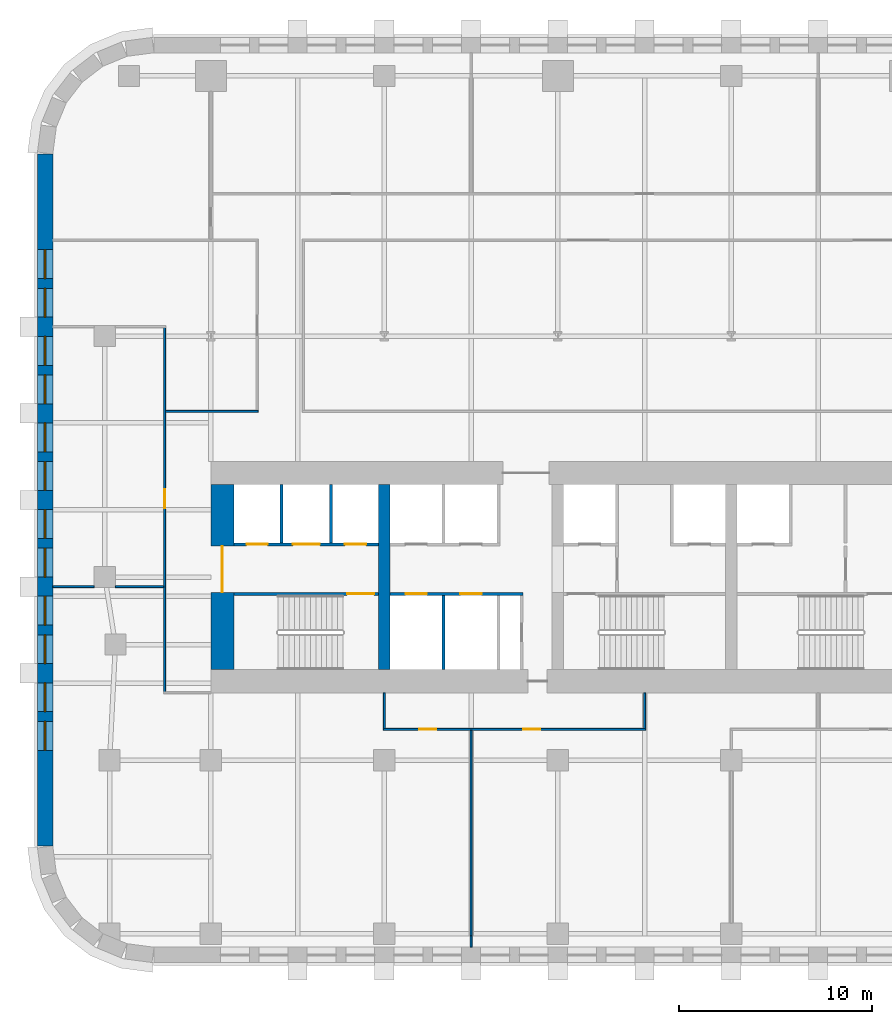
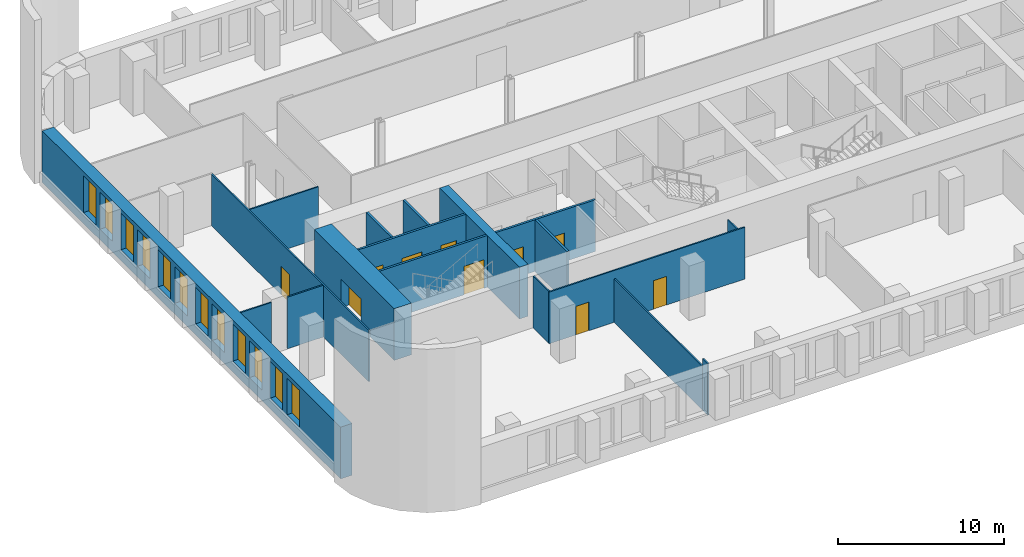
# One storey, part 3 of 12: 18 walls, 12 windows, 10 doors, 22 openings.
"""IFC4 building model written with IfcOpenShell, lengths in metres."""

import ifcopenshell
import ifcopenshell.guid

model = None  # the IFC model being written
_history = None  # IfcOwnerHistory: only IFC2X3 demands one
_inside = {}  # id of a spatial element -> (the spatial element, [elements in it])
_under = {}  # id of a project, library or spatial element -> (it, [spatial elements below it])
_declared = {}  # id of a project -> (the project, [libraries it declares])
_typed = {}  # id of a type object -> (the type object, [elements of that type])
_made_of = {}  # id of a material, layer set ... -> (it, [elements and type objects made of it])


def new_model(schema):
    """Start an empty IFC model of exactly this schema.

    Asked for "IFC4X3", IfcOpenShell would pick the latest addendum, in which some entities
    have other attributes; the version numbers below select the first issue.
    IFC2X3 requires an IfcOwnerHistory on every rooted entity: one is made here for all.
    """
    global model, _history
    if schema == "IFC4X3":
        model = ifcopenshell.file(schema_version=(4, 3, 0, 0))
    else:
        model = ifcopenshell.file(schema=schema)
    _inside.clear()
    _under.clear()
    _declared.clear()
    _typed.clear()
    _made_of.clear()
    _history = None
    if model.schema == "IFC2X3":
        org = make("IfcOrganization", Name="unknown")
        user = make(
            "IfcPersonAndOrganization",
            ThePerson=make("IfcPerson", FamilyName="unknown"),
            TheOrganization=org,
        )
        app = make(
            "IfcApplication",
            ApplicationDeveloper=org,
            Version="unknown",
            ApplicationFullName="unknown",
            ApplicationIdentifier="unknown",
        )
        _history = make(
            "IfcOwnerHistory",
            OwningUser=user,
            OwningApplication=app,
            ChangeAction="ADDED",
            CreationDate=0,
        )
    return model


def make(cls, **values):
    """One entity of the class cls with the attributes given. An attribute that is None is left unset."""
    return model.create_entity(
        cls, **{name: value for name, value in values.items() if value is not None}
    )


def rooted(cls, **values):
    """An entity with a GlobalId (a new one), such as an element, a storey or a relation."""
    return make(cls, GlobalId=ifcopenshell.guid.new(), OwnerHistory=_history, **values)


def si_unit(unit_type, name, prefix=None):
    """IfcSIUnit, for example si_unit("LENGTHUNIT", "METRE", prefix="MILLI")."""
    return make("IfcSIUnit", UnitType=unit_type, Prefix=prefix, Name=name)


def assignment(units):
    """IfcUnitAssignment: the units of a project."""
    return None if units is None else make("IfcUnitAssignment", Units=units)


def point(xyz):
    """IfcCartesianPoint."""
    return None if xyz is None else make("IfcCartesianPoint", Coordinates=xyz)


def direction(xyz):
    """IfcDirection."""
    return None if xyz is None else make("IfcDirection", DirectionRatios=xyz)


def frame(location, z_axis=None, x_axis=None):
    """IfcAxis2Placement3D, a coordinate frame: its origin and axes. An axis left out is left unset."""
    return make(
        "IfcAxis2Placement3D",
        Location=point(location),
        Axis=direction(z_axis),
        RefDirection=direction(x_axis),
    )


def frame_2d(location, x_axis=None):
    """IfcAxis2Placement2D, a coordinate frame in the plane: its origin and x axis."""
    return make(
        "IfcAxis2Placement2D", Location=point(location), RefDirection=direction(x_axis)
    )


def origin():
    """The frame at (0, 0, 0) with its axes left unset."""
    return frame((0.0, 0.0, 0.0))


def place(relative_to, where):
    """IfcLocalPlacement: puts the frame where relative to a parent placement (None: the world)."""
    return make(
        "IfcLocalPlacement", PlacementRelTo=relative_to, RelativePlacement=where
    )


def context(
    kind, dimensions, precision=None, world=None, true_north=None, identifier=None
):
    """IfcGeometricRepresentationContext, for example the 3D "Model" context."""
    return make(
        "IfcGeometricRepresentationContext",
        ContextIdentifier=identifier,
        ContextType=kind,
        CoordinateSpaceDimension=dimensions,
        Precision=precision,
        WorldCoordinateSystem=world,
        TrueNorth=true_north,
    )


def subcontext(parent, identifier, kind, view, scale=None):
    """IfcGeometricRepresentationSubContext, for example "Body" below "Model"."""
    return make(
        "IfcGeometricRepresentationSubContext",
        ContextIdentifier=identifier,
        ContextType=kind,
        ParentContext=parent,
        TargetScale=scale,
        TargetView=view,
    )


def project(units=None, contexts=None):
    """IfcProject with its units and contexts."""
    return rooted(
        "IfcProject",
        Name="project",
        RepresentationContexts=contexts,
        UnitsInContext=assignment(units),
    )


def spatial(cls, under=None, at=None, **own):
    """A site, building, storey or space (cls), placed at a placement, below another one or the project."""
    s = rooted(cls, ObjectPlacement=at, **own)
    if under is not None:
        _under.setdefault(under.id(), (under, []))[1].append(s)
    return s


def profile(cls, at=None, kind="AREA", **sizes):
    """A parametric profile (cls). Its sizes go by their IFC names, for example OverallWidth=200.0."""
    return make(cls, ProfileType=kind, Position=at, **sizes)


def rectangle(**sizes):
    """IfcRectangleProfileDef."""
    return profile("IfcRectangleProfileDef", **sizes)


def extrude(swept, where, along, depth):
    """IfcExtrudedAreaSolid: the profile swept, set in the frame where, extruded along a direction by depth."""
    return make(
        "IfcExtrudedAreaSolid",
        SweptArea=swept,
        Position=where,
        ExtrudedDirection=direction(along),
        Depth=depth,
    )


def shape(context_of_items, identifier, shape_type, items):
    """IfcShapeRepresentation: the items that make up one representation, for example the "Body"."""
    return make(
        "IfcShapeRepresentation",
        ContextOfItems=context_of_items,
        RepresentationIdentifier=identifier,
        RepresentationType=shape_type,
        Items=items,
    )


def material(Name=None, Category=None):
    """IfcMaterial."""
    return make("IfcMaterial", Name=Name, Category=Category)


def layer(
    of_material, thickness, ventilated=None, Name=None, Category=None, Priority=None
):
    """IfcMaterialLayer: one layer of a wall or slab, of a material (None: an air gap)."""
    return make(
        "IfcMaterialLayer",
        Material=of_material,
        LayerThickness=thickness,
        IsVentilated=ventilated,
        Name=Name,
        Category=Category,
        Priority=Priority,
    )


def layer_set(layers, Name=None):
    """IfcMaterialLayerSet."""
    return make("IfcMaterialLayerSet", MaterialLayers=layers, LayerSetName=Name)


def made_of(thing, what):
    """Note that an element or type object is made of a material, layer set ...; save() writes the relation."""
    if what is not None:
        _made_of.setdefault(what.id(), (what, []))[1].append(thing)
    return thing


def type_object(cls, material=None, **own):
    """A type object (cls), such as IfcWallType, which elements share."""
    return made_of(rooted(cls, **own), material)


def element(
    cls,
    number,
    at=None,
    inside=None,
    cuts=None,
    type_object=None,
    material=None,
    context=None,
    identifier="Body",
    shape_type=None,
    held_by="IfcProductDefinitionShape",
    body=None,
    shapes=None,
    **own,
):
    """One element of the class cls, such as IfcWall. Its Tag is "e" and its number.

    at: its placement. inside: the storey or other place that contains it. cuts: it is an
    opening in that element (IfcRelVoidsElement). A single representation is given by context,
    identifier, shape_type and body (its items); several are given by shapes. held_by: the class
    of the entity that holds the representations. save() writes the other relations.
    """
    e = rooted(cls, Tag="e%d" % number, ObjectPlacement=at, **own)
    if body is not None:
        shapes = [shape(context, identifier, shape_type, body)]
    if shapes is not None:
        e.Representation = make(held_by, Representations=shapes)
    if inside is not None:
        _inside.setdefault(inside.id(), (inside, []))[1].append(e)
    if cuts is not None:
        rooted(
            "IfcRelVoidsElement", RelatingBuildingElement=cuts, RelatedOpeningElement=e
        )
    if type_object is not None:
        _typed.setdefault(type_object.id(), (type_object, []))[1].append(e)
    return made_of(e, material)


def fill(opening, filler):
    """IfcRelFillsElement: the door or window that sits in an opening."""
    return rooted(
        "IfcRelFillsElement",
        RelatingOpeningElement=opening,
        RelatedBuildingElement=filler,
    )


def aggregate(whole, parts):
    """IfcRelAggregates: a whole, such as a stair, and the parts it consists of."""
    return rooted("IfcRelAggregates", RelatingObject=whole, RelatedObjects=parts)


def save(model, path):
    """Write the relations noted so far, then the file.

    IfcRelAggregates (storeys below a building ...), IfcRelContainedInSpatialStructure (elements
    in a storey), IfcRelDefinesByType, IfcRelAssociatesMaterial and IfcRelDeclares: one each for
    every whole, place, type object, material and project.
    """
    for whole, parts in _under.values():
        aggregate(whole, parts)
    for where, things in _inside.values():
        rooted(
            "IfcRelContainedInSpatialStructure",
            RelatedElements=things,
            RelatingStructure=where,
        )
    for kind, things in _typed.values():
        rooted("IfcRelDefinesByType", RelatedObjects=things, RelatingType=kind)
    for what, things in _made_of.values():
        rooted("IfcRelAssociatesMaterial", RelatedObjects=things, RelatingMaterial=what)
    for by, libraries in _declared.values():
        rooted("IfcRelDeclares", RelatingContext=by, RelatedDefinitions=libraries)
    model.write(path)


model = new_model("IFC4")

# Units and contexts
model_context = context("Model", 3, precision=1e-05, world=origin(), true_north=direction((0.0, 1.0)))
body_context = subcontext(model_context, "Body", "Model", "MODEL_VIEW")
ifc_project = project(units=[si_unit("LENGTHUNIT", "METRE"), si_unit("AREAUNIT", "SQUARE_METRE"), si_unit("VOLUMEUNIT", "CUBIC_METRE"), si_unit("PLANEANGLEUNIT", "RADIAN"), si_unit("MASSUNIT", "GRAM", prefix="KILO")], contexts=[model_context])

# Site, building, storey
site_placement = place(None, origin())
site = spatial("IfcSite", under=ifc_project, at=site_placement, CompositionType="ELEMENT")
building_placement = place(site_placement, origin())
building = spatial("IfcBuilding", under=site, at=building_placement, Name="Zellij Exchange Tower", CompositionType="ELEMENT")
storey_placement = place(building_placement, frame((0.0, 0.0, 88.5)))
storey = spatial("IfcBuildingStorey", under=building, at=storey_placement, Name="L18", CompositionType="ELEMENT", Elevation=88.5)

# Walls
ifc_material_1 = material(Name="Concrete C70/85", Category="concrete")
ifc_layer_1 = layer(ifc_material_1, 0.60009765625)
ifc_layer_set_1 = layer_set([ifc_layer_1], Name="Concrete C70/85")
wall_type_1 = type_object("IfcWallType", Name="CORE-CW 600 C70/85", PredefinedType="SHEAR", material=ifc_layer_set_1)
wall_1_placement = place(storey_placement, frame((-18.0, -12.800048828125, 0.0), z_axis=(0.0, 0.0, 1.0), x_axis=(0.0, 1.0, 0.0)))
element("IfcWall", 1, at=wall_1_placement, inside=storey, type_object=wall_type_1, Name="Core cross wall x -18 L18", PredefinedType="SHEAR", context=body_context, shape_type="SweptSolid", body=[
    extrude(rectangle(XDim=9.60009765625, YDim=0.60009765625, at=frame_2d((4.800048828125, 0.0))), origin(), (0.0, 0.0, 1.0), 3.800048828125),
])
ifc_material_2 = material(Name="Gypsum shaft wall system")
ifc_layer_2 = layer(ifc_material_2, 0.14990234375)
ifc_layer_set_2 = layer_set([ifc_layer_2], Name="Gypsum shaft wall system")
wall_type_2 = type_object("IfcWallType", Name="CORE-PW 150 Lift shaft wall", PredefinedType="PARTITIONING", material=ifc_layer_set_2)
for number, where, z_axis, x_axis, name in (
    (2, (-20.77490234375, -6.22509765625, 0.0), (0.0, 0.0, 1.0), (0.0, 1.0, 0.0), "Lift shaft wall L18"),
    (3, (-23.324951171875, -6.22509765625, 0.0), (0.0, 0.0, 1.0), (0.0, 1.0, 0.0), "Lift shaft wall L18"),
):
    element("IfcWall", number, at=place(storey_placement, frame(where, z_axis=z_axis, x_axis=x_axis)), inside=storey, type_object=wall_type_2, Name=name, PredefinedType="PARTITIONING", context=body_context, shape_type="SweptSolid", body=[
        extrude(rectangle(XDim=3.025146484375, YDim=0.14990234375, at=frame_2d((1.5126953125, 0.0))), origin(), (0.0, 0.0, 1.0), 3.800048828125),
    ])
wall_2_placement = place(storey_placement, frame((-14.925048828125, -12.800048828125, 0.0), z_axis=(0.0, 0.0, 1.0), x_axis=(0.0, 1.0, 0.0)))
element("IfcWall", 4, at=wall_2_placement, inside=storey, type_object=wall_type_2, Name="Lift shaft wall L18", PredefinedType="PARTITIONING", context=body_context, shape_type="SweptSolid", body=[
    extrude(rectangle(XDim=3.85009765625, YDim=0.14990234375, at=frame_2d((1.925048828125, 0.0))), origin(), (0.0, 0.0, 1.0), 3.800048828125),
])

# Wall, openings, doors
wall_3_placement = place(storey_placement, frame((-25.800048828125, -6.300048828125, 0.0), z_axis=(0.0, 0.0, 1.0), x_axis=(1.0, 0.0, 0.0)))
wall_3 = element("IfcWall", 5, at=wall_3_placement, inside=storey, type_object=wall_type_2, Name="Lift shaft wall L18", PredefinedType="PARTITIONING", context=body_context, shape_type="SweptSolid", body=[
    extrude(rectangle(XDim=7.5, YDim=0.14990234375, at=frame_2d((3.75, 0.0))), origin(), (0.0, 0.0, 1.0), 3.800048828125),
])
opening_1_placement = place(wall_3_placement, frame((0.64990234375, 0.0, 0.0)))
opening_1 = element("IfcOpeningElement", 6, at=opening_1_placement, cuts=wall_3, Name="Opening CA-10.02", PredefinedType="OPENING", context=body_context, shape_type="SweptSolid", body=[
    extrude(rectangle(XDim=1.10009765625, YDim=2.10009765625, at=frame_2d((0.550048828125, 1.050048828125))), frame((0.0, 0.0869140625, 0.0), z_axis=(0.0, -1.0, 0.0), x_axis=(1.0, 0.0, 0.0)), (0.0, 0.0, 1.0), 0.173828125),
])
opening_2_placement = place(wall_3_placement, frame((3.050048828125, 0.0, 0.0)))
opening_2 = element("IfcOpeningElement", 7, at=opening_2_placement, cuts=wall_3, Name="Opening CA-10.03", PredefinedType="OPENING", context=body_context, shape_type="SweptSolid", body=[
    extrude(rectangle(XDim=1.39990234375, YDim=2.10009765625, at=frame_2d((0.699951171875, 1.050048828125))), frame((0.0, 0.0869140625, 0.0), z_axis=(0.0, -1.0, 0.0), x_axis=(1.0, 0.0, 0.0)), (0.0, 0.0, 1.0), 0.173828125),
])
opening_3_placement = place(wall_3_placement, frame((5.75, 0.0, 0.0)))
opening_3 = element("IfcOpeningElement", 8, at=opening_3_placement, cuts=wall_3, Name="Opening CA-10.04", PredefinedType="OPENING", context=body_context, shape_type="SweptSolid", body=[
    extrude(rectangle(XDim=1.10009765625, YDim=2.10009765625, at=frame_2d((0.550048828125, 1.050048828125))), frame((0.0, 0.0869140625, 0.0), z_axis=(0.0, -1.0, 0.0), x_axis=(1.0, 0.0, 0.0)), (0.0, 0.0, 1.0), 0.173828125),
])
ifc_material_3 = material(Name="Hollow metal fire door")
door_type_1 = type_object("IfcDoorType", Name="CORE-D LD Lift landing door 1100x2100 1.5 HR", OperationType="NOTDEFINED", PredefinedType="DOOR", material=ifc_material_3)
door_1_placement = place(opening_1_placement, origin())
door_1 = element("IfcDoor", 9, at=door_1_placement, inside=storey, type_object=door_type_1, Name="Lift landing door CA-10.02", OperationType="SLIDING_TO_RIGHT", OverallHeight=2.10009765625, OverallWidth=1.10009765625, PredefinedType="DOOR", context=body_context, shape_type="SweptSolid", body=[
    extrude(rectangle(XDim=1.10009765625, YDim=2.10009765625, at=frame_2d((0.550048828125, 1.050048828125))), frame((0.0, 0.02490234375, 0.0), z_axis=(0.0, -1.0, 0.0), x_axis=(1.0, 0.0, 0.0)), (0.0, 0.0, 1.0), 0.050048828125),
])
fill(opening_1, door_1)
door_2_placement = place(opening_3_placement, origin())
door_2 = element("IfcDoor", 10, at=door_2_placement, inside=storey, type_object=door_type_1, Name="Lift landing door CA-10.04", OperationType="SLIDING_TO_RIGHT", OverallHeight=2.10009765625, OverallWidth=1.10009765625, PredefinedType="DOOR", context=body_context, shape_type="SweptSolid", body=[
    extrude(rectangle(XDim=1.10009765625, YDim=2.10009765625, at=frame_2d((0.550048828125, 1.050048828125))), frame((0.0, 0.02490234375, 0.0), z_axis=(0.0, -1.0, 0.0), x_axis=(1.0, 0.0, 0.0)), (0.0, 0.0, 1.0), 0.050048828125),
])
fill(opening_3, door_2)
door_type_2 = type_object("IfcDoorType", Name="CORE-D LD2 Service lift landing door 1400x2100 1.5 HR", OperationType="NOTDEFINED", PredefinedType="DOOR", material=ifc_material_3)
door_3_placement = place(opening_2_placement, origin())
door_3 = element("IfcDoor", 11, at=door_3_placement, inside=storey, type_object=door_type_2, Name="Service lift landing door CA-10.03", OperationType="SLIDING_TO_LEFT", OverallHeight=2.10009765625, OverallWidth=1.39990234375, PredefinedType="DOOR", context=body_context, shape_type="SweptSolid", body=[
    extrude(rectangle(XDim=1.39990234375, YDim=2.10009765625, at=frame_2d((0.699951171875, 1.050048828125))), frame((0.0, 0.02490234375, 0.0), z_axis=(0.0, -1.0, 0.0), x_axis=(1.0, 0.0, 0.0)), (0.0, 0.0, 1.0), 0.050048828125),
])
fill(opening_2, door_3)

wall_4_placement = place(storey_placement, frame((-17.699951171875, -8.875, 0.0), z_axis=(0.0, 0.0, 1.0), x_axis=(1.0, 0.0, 0.0)))
wall_4 = element("IfcWall", 12, at=wall_4_placement, inside=storey, type_object=wall_type_2, Name="Lift shaft wall L18", PredefinedType="PARTITIONING", context=body_context, shape_type="SweptSolid", body=[
    extrude(rectangle(XDim=6.89990234375, YDim=0.14990234375, at=frame_2d((3.449951171875, 0.0))), origin(), (0.0, 0.0, 1.0), 3.800048828125),
])
opening_4_placement = place(wall_4_placement, frame((0.800048828125, 0.0, 0.0)))
opening_4 = element("IfcOpeningElement", 13, at=opening_4_placement, cuts=wall_4, Name="Opening CA-10.06", PredefinedType="OPENING", context=body_context, shape_type="SweptSolid", body=[
    extrude(rectangle(XDim=1.10009765625, YDim=2.10009765625, at=frame_2d((0.550048828125, 1.050048828125))), frame((0.0, 0.0869140625, 0.0), z_axis=(0.0, -1.0, 0.0), x_axis=(1.0, 0.0, 0.0)), (0.0, 0.0, 1.0), 0.173828125),
])
opening_5_placement = place(wall_4_placement, frame((3.64990234375, 0.0, 0.0)))
opening_5 = element("IfcOpeningElement", 14, at=opening_5_placement, cuts=wall_4, Name="Opening CA-10.08", PredefinedType="OPENING", context=body_context, shape_type="SweptSolid", body=[
    extrude(rectangle(XDim=1.10009765625, YDim=2.10009765625, at=frame_2d((0.550048828125, 1.050048828125))), frame((0.0, 0.0869140625, 0.0), z_axis=(0.0, -1.0, 0.0), x_axis=(1.0, 0.0, 0.0)), (0.0, 0.0, 1.0), 0.173828125),
])
door_4_placement = place(opening_4_placement, origin())
door_4 = element("IfcDoor", 15, at=door_4_placement, inside=storey, type_object=door_type_1, Name="Lift landing door CA-10.06", OperationType="SLIDING_TO_RIGHT", OverallHeight=2.10009765625, OverallWidth=1.10009765625, PredefinedType="DOOR", context=body_context, shape_type="SweptSolid", body=[
    extrude(rectangle(XDim=1.10009765625, YDim=2.10009765625, at=frame_2d((0.550048828125, 1.050048828125))), frame((0.0, 0.02490234375, 0.0), z_axis=(0.0, -1.0, 0.0), x_axis=(1.0, 0.0, 0.0)), (0.0, 0.0, 1.0), 0.050048828125),
])
fill(opening_4, door_4)
door_5_placement = place(opening_5_placement, origin())
door_5 = element("IfcDoor", 16, at=door_5_placement, inside=storey, type_object=door_type_1, Name="Lift landing door CA-10.08", OperationType="SLIDING_TO_RIGHT", OverallHeight=2.10009765625, OverallWidth=1.10009765625, PredefinedType="DOOR", context=body_context, shape_type="SweptSolid", body=[
    extrude(rectangle(XDim=1.10009765625, YDim=2.10009765625, at=frame_2d((0.550048828125, 1.050048828125))), frame((0.0, 0.02490234375, 0.0), z_axis=(0.0, -1.0, 0.0), x_axis=(1.0, 0.0, 0.0)), (0.0, 0.0, 1.0), 0.050048828125),
])
fill(opening_5, door_5)

# Wall, opening, door
ifc_layer_3 = layer(ifc_material_1, 1.199951171875)
ifc_layer_set_3 = layer_set([ifc_layer_3], Name="Concrete C70/85")
wall_type_3 = type_object("IfcWallType", Name="CORE-SW 1200 C70/85", PredefinedType="SHEAR", material=ifc_layer_set_3)
wall_5_placement = place(storey_placement, frame((-26.39990234375, -12.800048828125, 0.0), z_axis=(0.0, 0.0, 1.0), x_axis=(0.0, 1.0, 0.0)))
wall_5 = element("IfcWall", 17, at=wall_5_placement, inside=storey, type_object=wall_type_3, Name="Core shear wall end w L18", PredefinedType="SHEAR", context=body_context, shape_type="SweptSolid", body=[
    extrude(rectangle(XDim=9.60009765625, YDim=1.199951171875, at=frame_2d((4.800048828125, 0.0))), origin(), (0.0, 0.0, 1.0), 3.800048828125),
])
opening_6_placement = place(wall_5_placement, frame((4.011962890625, 0.0, 0.0)))
opening_6 = element("IfcOpeningElement", 18, at=opening_6_placement, cuts=wall_5, Name="Opening CA-10.01", PredefinedType="OPENING", context=body_context, shape_type="SweptSolid", body=[
    extrude(rectangle(XDim=2.39990234375, YDim=2.10009765625, at=frame_2d((1.199951171875, 1.050048828125))), frame((0.0, 0.61181640625, 0.0), z_axis=(0.0, -1.0, 0.0), x_axis=(1.0, 0.0, 0.0)), (0.0, 0.0, 1.0), 1.223876953125),
])
door_type_3 = type_object("IfcDoorType", Name="CORE-D CE Core entrance door 2400x2100 20 MIN", OperationType="NOTDEFINED", PredefinedType="DOOR", material=ifc_material_3)
door_6_placement = place(opening_6_placement, origin())
door_6 = element("IfcDoor", 19, at=door_6_placement, inside=storey, type_object=door_type_3, Name="Core entrance door CA-10.01", OperationType="DOUBLE_DOOR_SINGLE_SWING", OverallHeight=2.10009765625, OverallWidth=2.39990234375, PredefinedType="DOOR", context=body_context, shape_type="SweptSolid", body=[
    extrude(rectangle(XDim=2.39990234375, YDim=2.10009765625, at=frame_2d((1.199951171875, 1.050048828125))), frame((0.0, 0.02490234375, 0.0), z_axis=(0.0, -1.0, 0.0), x_axis=(1.0, 0.0, 0.0)), (0.0, 0.0, 1.0), 0.050048828125),
])
fill(opening_6, door_6)

ifc_layer_4 = layer(ifc_material_1, 0.14990234375)
ifc_layer_set_4 = layer_set([ifc_layer_4], Name="Concrete C70/85")
wall_type_4 = type_object("IfcWallType", Name="CORE-SWS 150 C70/85", PredefinedType="SHEAR", material=ifc_layer_set_4)
wall_6_placement = place(storey_placement, frame((-25.800048828125, -8.875, 0.0), z_axis=(0.0, 0.0, 1.0), x_axis=(1.0, 0.0, 0.0)))
wall_6 = element("IfcWall", 20, at=wall_6_placement, inside=storey, type_object=wall_type_4, Name="Stair enclosure wall L18", PredefinedType="SHEAR", context=body_context, shape_type="SweptSolid", body=[
    extrude(rectangle(XDim=7.5, YDim=0.14990234375, at=frame_2d((3.75, 0.0))), origin(), (0.0, 0.0, 1.0), 3.800048828125),
])
opening_7_placement = place(wall_6_placement, frame((5.875, 0.0, 0.0)))
opening_7 = element("IfcOpeningElement", 21, at=opening_7_placement, cuts=wall_6, Name="Opening CA-10.05", PredefinedType="OPENING", context=body_context, shape_type="SweptSolid", body=[
    extrude(rectangle(XDim=1.39990234375, YDim=2.10009765625, at=frame_2d((0.699951171875, 1.050048828125))), frame((0.0, 0.0869140625, 0.0), z_axis=(0.0, -1.0, 0.0), x_axis=(1.0, 0.0, 0.0)), (0.0, 0.0, 1.0), 0.173828125),
])
door_type_4 = type_object("IfcDoorType", Name="CORE-D SD Stair door 1400x2100 1.5 HR", OperationType="NOTDEFINED", PredefinedType="DOOR", material=ifc_material_3)
door_7_placement = place(opening_7_placement, origin())
door_7 = element("IfcDoor", 22, at=door_7_placement, inside=storey, type_object=door_type_4, Name="Stair door CA-10.05", OperationType="DOUBLE_DOOR_SINGLE_SWING", OverallHeight=2.10009765625, OverallWidth=1.39990234375, PredefinedType="DOOR", context=body_context, shape_type="SweptSolid", body=[
    extrude(rectangle(XDim=1.39990234375, YDim=2.10009765625, at=frame_2d((0.699951171875, 1.050048828125))), frame((0.0, 0.02490234375, 0.0), z_axis=(0.0, -1.0, 0.0), x_axis=(1.0, 0.0, 0.0)), (0.0, 0.0, 1.0), 0.050048828125),
])
fill(opening_7, door_7)

# Wall, openings, windows
ifc_material_4 = material(Name="Precast concrete C40/50", Category="concrete")
ifc_layer_5 = layer(ifc_material_4, 0.800048828125)
ifc_layer_set_5 = layer_set([ifc_layer_5], Name="Precast concrete C40/50")
wall_type_5 = type_object("IfcWallType", Name="ENV-EW1 Precast stone-piered wall 800", PredefinedType="SOLIDWALL", material=ifc_layer_set_5)
wall_7_placement = place(storey_placement, frame((-35.60009765625, 13.947509765625, 0.0), z_axis=(0.0, 0.0, 1.0), x_axis=(0.0, -1.0, 0.0)))
wall_7 = element("IfcWall", 23, at=wall_7_placement, inside=storey, type_object=wall_type_5, Name="fac.L18.21", PredefinedType="SOLIDWALL", context=body_context, shape_type="SweptSolid", body=[
    extrude(rectangle(XDim=35.89501953125, YDim=0.800048828125, at=frame_2d((17.947509765625, 0.0))), origin(), (0.0, 0.0, 1.0), 3.800048828125),
])
opening_8_placement = place(wall_7_placement, frame((4.9638671875, 0.0, 0.800048828125)))
opening_8 = element("IfcOpeningElement", 24, at=opening_8_placement, cuts=wall_7, Name="Opening FZ1.61", PredefinedType="OPENING", context=body_context, shape_type="SweptSolid", body=[
    extrude(rectangle(XDim=1.5, YDim=2.699951171875, at=frame_2d((0.75, 1.35009765625))), frame((0.0, 0.412109375, 0.0), z_axis=(0.0, -1.0, 0.0), x_axis=(1.0, 0.0, 0.0)), (0.0, 0.0, 1.0), 0.823974609375),
])
opening_9_placement = place(wall_7_placement, frame((6.9638671875, 0.0, 0.800048828125)))
opening_9 = element("IfcOpeningElement", 25, at=opening_9_placement, cuts=wall_7, Name="Opening FZ1.62", PredefinedType="OPENING", context=body_context, shape_type="SweptSolid", body=[
    extrude(rectangle(XDim=1.5, YDim=2.699951171875, at=frame_2d((0.75, 1.35009765625))), frame((0.0, 0.412109375, 0.0), z_axis=(0.0, -1.0, 0.0), x_axis=(1.0, 0.0, 0.0)), (0.0, 0.0, 1.0), 0.823974609375),
])
opening_10_placement = place(wall_7_placement, frame((9.45751953125, 0.0, 0.800048828125)))
opening_10 = element("IfcOpeningElement", 26, at=opening_10_placement, cuts=wall_7, Name="Opening FZ1.63", PredefinedType="OPENING", context=body_context, shape_type="SweptSolid", body=[
    extrude(rectangle(XDim=1.5, YDim=2.699951171875, at=frame_2d((0.75, 1.35009765625))), frame((0.0, 0.412109375, 0.0), z_axis=(0.0, -1.0, 0.0), x_axis=(1.0, 0.0, 0.0)), (0.0, 0.0, 1.0), 0.823974609375),
])
opening_11_placement = place(wall_7_placement, frame((11.45751953125, 0.0, 0.800048828125)))
opening_11 = element("IfcOpeningElement", 27, at=opening_11_placement, cuts=wall_7, Name="Opening FZ1.64", PredefinedType="OPENING", context=body_context, shape_type="SweptSolid", body=[
    extrude(rectangle(XDim=1.5, YDim=2.699951171875, at=frame_2d((0.75, 1.35009765625))), frame((0.0, 0.412109375, 0.0), z_axis=(0.0, -1.0, 0.0), x_axis=(1.0, 0.0, 0.0)), (0.0, 0.0, 1.0), 0.823974609375),
])
opening_12_placement = place(wall_7_placement, frame((13.950927734375, 0.0, 0.800048828125)))
opening_12 = element("IfcOpeningElement", 28, at=opening_12_placement, cuts=wall_7, Name="Opening FZ1.65", PredefinedType="OPENING", context=body_context, shape_type="SweptSolid", body=[
    extrude(rectangle(XDim=1.5, YDim=2.699951171875, at=frame_2d((0.75, 1.35009765625))), frame((0.0, 0.412109375, 0.0), z_axis=(0.0, -1.0, 0.0), x_axis=(1.0, 0.0, 0.0)), (0.0, 0.0, 1.0), 0.823974609375),
])
opening_13_placement = place(wall_7_placement, frame((15.95068359375, 0.0, 0.800048828125)))
opening_13 = element("IfcOpeningElement", 29, at=opening_13_placement, cuts=wall_7, Name="Opening FZ1.66", PredefinedType="OPENING", context=body_context, shape_type="SweptSolid", body=[
    extrude(rectangle(XDim=1.5, YDim=2.699951171875, at=frame_2d((0.75, 1.35009765625))), frame((0.0, 0.412109375, 0.0), z_axis=(0.0, -1.0, 0.0), x_axis=(1.0, 0.0, 0.0)), (0.0, 0.0, 1.0), 0.823974609375),
])
opening_14_placement = place(wall_7_placement, frame((18.4443359375, 0.0, 0.800048828125)))
opening_14 = element("IfcOpeningElement", 30, at=opening_14_placement, cuts=wall_7, Name="Opening FZ1.67", PredefinedType="OPENING", context=body_context, shape_type="SweptSolid", body=[
    extrude(rectangle(XDim=1.5, YDim=2.699951171875, at=frame_2d((0.75, 1.35009765625))), frame((0.0, 0.412109375, 0.0), z_axis=(0.0, -1.0, 0.0), x_axis=(1.0, 0.0, 0.0)), (0.0, 0.0, 1.0), 0.823974609375),
])
opening_15_placement = place(wall_7_placement, frame((20.4443359375, 0.0, 0.800048828125)))
opening_15 = element("IfcOpeningElement", 31, at=opening_15_placement, cuts=wall_7, Name="Opening FZ1.68", PredefinedType="OPENING", context=body_context, shape_type="SweptSolid", body=[
    extrude(rectangle(XDim=1.5, YDim=2.699951171875, at=frame_2d((0.75, 1.35009765625))), frame((0.0, 0.412109375, 0.0), z_axis=(0.0, -1.0, 0.0), x_axis=(1.0, 0.0, 0.0)), (0.0, 0.0, 1.0), 0.823974609375),
])
opening_16_placement = place(wall_7_placement, frame((22.937744140625, 0.0, 0.800048828125)))
opening_16 = element("IfcOpeningElement", 32, at=opening_16_placement, cuts=wall_7, Name="Opening FZ1.69", PredefinedType="OPENING", context=body_context, shape_type="SweptSolid", body=[
    extrude(rectangle(XDim=1.5, YDim=2.699951171875, at=frame_2d((0.75, 1.35009765625))), frame((0.0, 0.412109375, 0.0), z_axis=(0.0, -1.0, 0.0), x_axis=(1.0, 0.0, 0.0)), (0.0, 0.0, 1.0), 0.823974609375),
])
opening_17_placement = place(wall_7_placement, frame((24.937744140625, 0.0, 0.800048828125)))
opening_17 = element("IfcOpeningElement", 33, at=opening_17_placement, cuts=wall_7, Name="Opening FZ1.70", PredefinedType="OPENING", context=body_context, shape_type="SweptSolid", body=[
    extrude(rectangle(XDim=1.5, YDim=2.699951171875, at=frame_2d((0.75, 1.35009765625))), frame((0.0, 0.412109375, 0.0), z_axis=(0.0, -1.0, 0.0), x_axis=(1.0, 0.0, 0.0)), (0.0, 0.0, 1.0), 0.823974609375),
])
opening_18_placement = place(wall_7_placement, frame((27.43115234375, 0.0, 0.800048828125)))
opening_18 = element("IfcOpeningElement", 34, at=opening_18_placement, cuts=wall_7, Name="Opening FZ1.71", PredefinedType="OPENING", context=body_context, shape_type="SweptSolid", body=[
    extrude(rectangle(XDim=1.5, YDim=2.699951171875, at=frame_2d((0.75, 1.35009765625))), frame((0.0, 0.412109375, 0.0), z_axis=(0.0, -1.0, 0.0), x_axis=(1.0, 0.0, 0.0)), (0.0, 0.0, 1.0), 0.823974609375),
])
opening_19_placement = place(wall_7_placement, frame((29.43115234375, 0.0, 0.800048828125)))
opening_19 = element("IfcOpeningElement", 35, at=opening_19_placement, cuts=wall_7, Name="Opening FZ1.72", PredefinedType="OPENING", context=body_context, shape_type="SweptSolid", body=[
    extrude(rectangle(XDim=1.5, YDim=2.699951171875, at=frame_2d((0.75, 1.35009765625))), frame((0.0, 0.412109375, 0.0), z_axis=(0.0, -1.0, 0.0), x_axis=(1.0, 0.0, 0.0)), (0.0, 0.0, 1.0), 0.823974609375),
])
ifc_material_5 = material(Name="Aluminium frame with insulating glass", Category="aluminium")
window_type = type_object("IfcWindowType", Name="ENV-W6 Window 1500x2700", PartitioningType="SINGLE_PANEL", PredefinedType="WINDOW", material=ifc_material_5)
window_1_placement = place(opening_8_placement, origin())
window_1 = element("IfcWindow", 36, at=window_1_placement, inside=storey, type_object=window_type, Name="Window FZ1.61", OverallHeight=2.699951171875, OverallWidth=1.5, PartitioningType="SINGLE_PANEL", PredefinedType="WINDOW", context=body_context, shape_type="SweptSolid", body=[
    extrude(rectangle(XDim=1.5, YDim=2.699951171875, at=frame_2d((0.75, 1.35009765625))), frame((0.0, 0.030029296875, 0.0), z_axis=(0.0, -1.0, 0.0), x_axis=(1.0, 0.0, 0.0)), (0.0, 0.0, 1.0), 0.06005859375),
])
fill(opening_8, window_1)
window_2_placement = place(opening_9_placement, origin())
window_2 = element("IfcWindow", 37, at=window_2_placement, inside=storey, type_object=window_type, Name="Window FZ1.62", OverallHeight=2.699951171875, OverallWidth=1.5, PartitioningType="SINGLE_PANEL", PredefinedType="WINDOW", context=body_context, shape_type="SweptSolid", body=[
    extrude(rectangle(XDim=1.5, YDim=2.699951171875, at=frame_2d((0.75, 1.35009765625))), frame((0.0, 0.030029296875, 0.0), z_axis=(0.0, -1.0, 0.0), x_axis=(1.0, 0.0, 0.0)), (0.0, 0.0, 1.0), 0.06005859375),
])
fill(opening_9, window_2)
window_3_placement = place(opening_10_placement, origin())
window_3 = element("IfcWindow", 38, at=window_3_placement, inside=storey, type_object=window_type, Name="Window FZ1.63", OverallHeight=2.699951171875, OverallWidth=1.5, PartitioningType="SINGLE_PANEL", PredefinedType="WINDOW", context=body_context, shape_type="SweptSolid", body=[
    extrude(rectangle(XDim=1.5, YDim=2.699951171875, at=frame_2d((0.75, 1.35009765625))), frame((0.0, 0.030029296875, 0.0), z_axis=(0.0, -1.0, 0.0), x_axis=(1.0, 0.0, 0.0)), (0.0, 0.0, 1.0), 0.06005859375),
])
fill(opening_10, window_3)
window_4_placement = place(opening_11_placement, origin())
window_4 = element("IfcWindow", 39, at=window_4_placement, inside=storey, type_object=window_type, Name="Window FZ1.64", OverallHeight=2.699951171875, OverallWidth=1.5, PartitioningType="SINGLE_PANEL", PredefinedType="WINDOW", context=body_context, shape_type="SweptSolid", body=[
    extrude(rectangle(XDim=1.5, YDim=2.699951171875, at=frame_2d((0.75, 1.35009765625))), frame((0.0, 0.030029296875, 0.0), z_axis=(0.0, -1.0, 0.0), x_axis=(1.0, 0.0, 0.0)), (0.0, 0.0, 1.0), 0.06005859375),
])
fill(opening_11, window_4)
window_5_placement = place(opening_12_placement, origin())
window_5 = element("IfcWindow", 40, at=window_5_placement, inside=storey, type_object=window_type, Name="Window FZ1.65", OverallHeight=2.699951171875, OverallWidth=1.5, PartitioningType="SINGLE_PANEL", PredefinedType="WINDOW", context=body_context, shape_type="SweptSolid", body=[
    extrude(rectangle(XDim=1.5, YDim=2.699951171875, at=frame_2d((0.75, 1.35009765625))), frame((0.0, 0.030029296875, 0.0), z_axis=(0.0, -1.0, 0.0), x_axis=(1.0, 0.0, 0.0)), (0.0, 0.0, 1.0), 0.06005859375),
])
fill(opening_12, window_5)
window_6_placement = place(opening_13_placement, origin())
window_6 = element("IfcWindow", 41, at=window_6_placement, inside=storey, type_object=window_type, Name="Window FZ1.66", OverallHeight=2.699951171875, OverallWidth=1.5, PartitioningType="SINGLE_PANEL", PredefinedType="WINDOW", context=body_context, shape_type="SweptSolid", body=[
    extrude(rectangle(XDim=1.5, YDim=2.699951171875, at=frame_2d((0.75, 1.35009765625))), frame((0.0, 0.030029296875, 0.0), z_axis=(0.0, -1.0, 0.0), x_axis=(1.0, 0.0, 0.0)), (0.0, 0.0, 1.0), 0.06005859375),
])
fill(opening_13, window_6)
window_7_placement = place(opening_14_placement, origin())
window_7 = element("IfcWindow", 42, at=window_7_placement, inside=storey, type_object=window_type, Name="Window FZ1.67", OverallHeight=2.699951171875, OverallWidth=1.5, PartitioningType="SINGLE_PANEL", PredefinedType="WINDOW", context=body_context, shape_type="SweptSolid", body=[
    extrude(rectangle(XDim=1.5, YDim=2.699951171875, at=frame_2d((0.75, 1.35009765625))), frame((0.0, 0.030029296875, 0.0), z_axis=(0.0, -1.0, 0.0), x_axis=(1.0, 0.0, 0.0)), (0.0, 0.0, 1.0), 0.06005859375),
])
fill(opening_14, window_7)
window_8_placement = place(opening_15_placement, origin())
window_8 = element("IfcWindow", 43, at=window_8_placement, inside=storey, type_object=window_type, Name="Window FZ1.68", OverallHeight=2.699951171875, OverallWidth=1.5, PartitioningType="SINGLE_PANEL", PredefinedType="WINDOW", context=body_context, shape_type="SweptSolid", body=[
    extrude(rectangle(XDim=1.5, YDim=2.699951171875, at=frame_2d((0.75, 1.35009765625))), frame((0.0, 0.030029296875, 0.0), z_axis=(0.0, -1.0, 0.0), x_axis=(1.0, 0.0, 0.0)), (0.0, 0.0, 1.0), 0.06005859375),
])
fill(opening_15, window_8)
window_9_placement = place(opening_16_placement, origin())
window_9 = element("IfcWindow", 44, at=window_9_placement, inside=storey, type_object=window_type, Name="Window FZ1.69", OverallHeight=2.699951171875, OverallWidth=1.5, PartitioningType="SINGLE_PANEL", PredefinedType="WINDOW", context=body_context, shape_type="SweptSolid", body=[
    extrude(rectangle(XDim=1.5, YDim=2.699951171875, at=frame_2d((0.75, 1.35009765625))), frame((0.0, 0.030029296875, 0.0), z_axis=(0.0, -1.0, 0.0), x_axis=(1.0, 0.0, 0.0)), (0.0, 0.0, 1.0), 0.06005859375),
])
fill(opening_16, window_9)
window_10_placement = place(opening_17_placement, origin())
window_10 = element("IfcWindow", 45, at=window_10_placement, inside=storey, type_object=window_type, Name="Window FZ1.70", OverallHeight=2.699951171875, OverallWidth=1.5, PartitioningType="SINGLE_PANEL", PredefinedType="WINDOW", context=body_context, shape_type="SweptSolid", body=[
    extrude(rectangle(XDim=1.5, YDim=2.699951171875, at=frame_2d((0.75, 1.35009765625))), frame((0.0, 0.030029296875, 0.0), z_axis=(0.0, -1.0, 0.0), x_axis=(1.0, 0.0, 0.0)), (0.0, 0.0, 1.0), 0.06005859375),
])
fill(opening_17, window_10)
window_11_placement = place(opening_18_placement, origin())
window_11 = element("IfcWindow", 46, at=window_11_placement, inside=storey, type_object=window_type, Name="Window FZ1.71", OverallHeight=2.699951171875, OverallWidth=1.5, PartitioningType="SINGLE_PANEL", PredefinedType="WINDOW", context=body_context, shape_type="SweptSolid", body=[
    extrude(rectangle(XDim=1.5, YDim=2.699951171875, at=frame_2d((0.75, 1.35009765625))), frame((0.0, 0.030029296875, 0.0), z_axis=(0.0, -1.0, 0.0), x_axis=(1.0, 0.0, 0.0)), (0.0, 0.0, 1.0), 0.06005859375),
])
fill(opening_18, window_11)
window_12_placement = place(opening_19_placement, origin())
window_12 = element("IfcWindow", 47, at=window_12_placement, inside=storey, type_object=window_type, Name="Window FZ1.72", OverallHeight=2.699951171875, OverallWidth=1.5, PartitioningType="SINGLE_PANEL", PredefinedType="WINDOW", context=body_context, shape_type="SweptSolid", body=[
    extrude(rectangle(XDim=1.5, YDim=2.699951171875, at=frame_2d((0.75, 1.35009765625))), frame((0.0, 0.030029296875, 0.0), z_axis=(0.0, -1.0, 0.0), x_axis=(1.0, 0.0, 0.0)), (0.0, 0.0, 1.0), 0.06005859375),
])
fill(opening_19, window_12)

# Walls
ifc_material_6 = material(Name="Gypsum board partition on steel studs", Category="steel")
ifc_layer_6 = layer(ifc_material_6, 0.10009765625)
ifc_layer_set_6 = layer_set([ifc_layer_6], Name="Gypsum board partition on steel studs")
wall_type_6 = type_object("IfcWallType", Name="FIT-PARTITION-100", PredefinedType="PARTITIONING", material=ifc_layer_set_6)
wall_8_placement = place(storey_placement, frame((-13.5, -27.199951171875, 0.0), z_axis=(0.0, 0.0, 1.0), x_axis=(0.0, 1.0, 0.0)))
element("IfcWall", 48, at=wall_8_placement, inside=storey, type_object=wall_type_6, Name="FIT-PARTITION-100 001", PredefinedType="PARTITIONING", context=body_context, shape_type="SweptSolid", body=[
    extrude(rectangle(XDim=0.58544921875, YDim=0.10009765625, at=frame_2d((0.292724609375, 0.0))), origin(), (0.0, 0.0, 1.0), 3.800048828125),
])
wall_9_placement = place(storey_placement, frame((-13.5, -26.614501953125, 0.0), z_axis=(0.0, 0.0, 1.0), x_axis=(0.0, 1.0, 0.0)))
element("IfcWall", 49, at=wall_9_placement, inside=storey, type_object=wall_type_6, Name="FIT-PARTITION-100 002", PredefinedType="PARTITIONING", context=body_context, shape_type="SweptSolid", body=[
    extrude(rectangle(XDim=10.66455078125, YDim=0.10009765625, at=frame_2d((5.332275390625, 0.0))), origin(), (0.0, 0.0, 1.0), 3.197998046875),
])

# Wall, openings, doors
wall_10_placement = place(storey_placement, frame((-18.050048828125, -15.89990234375, 0.0), z_axis=(0.0, 0.0, 1.0), x_axis=(1.0, 0.0, 0.0)))
wall_10 = element("IfcWall", 50, at=wall_10_placement, inside=storey, type_object=wall_type_6, Name="FIT-PARTITION-100 007", PredefinedType="PARTITIONING", context=body_context, shape_type="SweptSolid", body=[
    extrude(rectangle(XDim=13.60009765625, YDim=0.10009765625, at=frame_2d((6.800048828125, 0.0))), origin(), (0.0, 0.0, 1.0), 3.800048828125),
])
opening_20_placement = place(wall_10_placement, frame((1.85009765625, 0.0, 0.0)))
opening_20 = element("IfcOpeningElement", 51, at=opening_20_placement, cuts=wall_10, Name="Opening TD.01", PredefinedType="OPENING", context=body_context, shape_type="SweptSolid", body=[
    extrude(rectangle(XDim=0.89990234375, YDim=2.10009765625, at=frame_2d((0.449951171875, 1.050048828125))), frame((0.0, 0.06201171875, 0.0), z_axis=(0.0, -1.0, 0.0), x_axis=(1.0, 0.0, 0.0)), (0.0, 0.0, 1.0), 0.1240234375),
])
opening_21_placement = place(wall_10_placement, frame((7.25, 0.0, 0.0)))
opening_21 = element("IfcOpeningElement", 52, at=opening_21_placement, cuts=wall_10, Name="Opening TD.02", PredefinedType="OPENING", context=body_context, shape_type="SweptSolid", body=[
    extrude(rectangle(XDim=0.89990234375, YDim=2.10009765625, at=frame_2d((0.449951171875, 1.050048828125))), frame((0.0, 0.06201171875, 0.0), z_axis=(0.0, -1.0, 0.0), x_axis=(1.0, 0.0, 0.0)), (0.0, 0.0, 1.0), 0.1240234375),
])
ifc_material_7 = material(Name="Timber door set", Category="wood")
door_type_5 = type_object("IfcDoorType", Name="FIT-D1-ROOM-900X2100", OperationType="SINGLE_SWING_LEFT", PredefinedType="DOOR", material=ifc_material_7)
door_8_placement = place(opening_20_placement, origin())
door_8 = element("IfcDoor", 53, at=door_8_placement, inside=storey, type_object=door_type_5, Name="Door TD.01", OperationType="SINGLE_SWING_LEFT", OverallHeight=2.10009765625, OverallWidth=0.89990234375, PredefinedType="DOOR", context=body_context, shape_type="SweptSolid", body=[
    extrude(rectangle(XDim=0.89990234375, YDim=2.10009765625, at=frame_2d((0.449951171875, 1.050048828125))), frame((0.0, 0.02490234375, 0.0), z_axis=(0.0, -1.0, 0.0), x_axis=(1.0, 0.0, 0.0)), (0.0, 0.0, 1.0), 0.050048828125),
])
fill(opening_20, door_8)
door_9_placement = place(opening_21_placement, origin())
door_9 = element("IfcDoor", 54, at=door_9_placement, inside=storey, type_object=door_type_5, Name="Door TD.02", OperationType="SINGLE_SWING_LEFT", OverallHeight=2.10009765625, OverallWidth=0.89990234375, PredefinedType="DOOR", context=body_context, shape_type="SweptSolid", body=[
    extrude(rectangle(XDim=0.89990234375, YDim=2.10009765625, at=frame_2d((0.449951171875, 1.050048828125))), frame((0.0, 0.02490234375, 0.0), z_axis=(0.0, -1.0, 0.0), x_axis=(1.0, 0.0, 0.0)), (0.0, 0.0, 1.0), 0.050048828125),
])
fill(opening_21, door_9)

# Walls
wall_11_placement = place(storey_placement, frame((-18.0, -15.85009765625, 0.0), z_axis=(0.0, 0.0, 1.0), x_axis=(0.0, 1.0, 0.0)))
element("IfcWall", 55, at=wall_11_placement, inside=storey, type_object=wall_type_6, Name="FIT-PARTITION-100 008", PredefinedType="PARTITIONING", context=body_context, shape_type="SweptSolid", body=[
    extrude(rectangle(XDim=1.85009765625, YDim=0.10009765625, at=frame_2d((0.925048828125, 0.0))), origin(), (0.0, 0.0, 1.0), 3.800048828125),
])
wall_12_placement = place(storey_placement, frame((-4.5, -15.85009765625, 0.0), z_axis=(0.0, 0.0, 1.0), x_axis=(0.0, 1.0, 0.0)))
element("IfcWall", 56, at=wall_12_placement, inside=storey, type_object=wall_type_6, Name="FIT-PARTITION-100 009", PredefinedType="PARTITIONING", context=body_context, shape_type="SweptSolid", body=[
    extrude(rectangle(XDim=1.85009765625, YDim=0.10009765625, at=frame_2d((0.925048828125, 0.0))), origin(), (0.0, 0.0, 1.0), 3.197998046875),
])

# Wall, opening, door
wall_13_placement = place(storey_placement, frame((-29.39990234375, -13.949951171875, 0.0), z_axis=(0.0, 0.0, 1.0), x_axis=(0.0, 1.0, 0.0)))
wall_13 = element("IfcWall", 57, at=wall_13_placement, inside=storey, type_object=wall_type_6, Name="FIT-PARTITION-100 014", PredefinedType="PARTITIONING", context=body_context, shape_type="SweptSolid", body=[
    extrude(rectangle(XDim=18.889892578125, YDim=0.10009765625, at=frame_2d((9.44482421875, 0.0))), origin(), (0.0, 0.0, 1.0), 3.800048828125),
])
opening_22_placement = place(wall_13_placement, frame((9.510009765625, 0.0, 0.0)))
opening_22 = element("IfcOpeningElement", 58, at=opening_22_placement, cuts=wall_13, Name="Opening TD.06", PredefinedType="OPENING", context=body_context, shape_type="SweptSolid", body=[
    extrude(rectangle(XDim=1.0, YDim=2.10009765625, at=frame_2d((0.5, 1.050048828125))), frame((0.0, 0.06201171875, 0.0), z_axis=(0.0, -1.0, 0.0), x_axis=(1.0, 0.0, 0.0)), (0.0, 0.0, 1.0), 0.1240234375),
])
door_type_6 = type_object("IfcDoorType", Name="FIT-D2-WIDE-1000X2100", OperationType="SINGLE_SWING_LEFT", PredefinedType="DOOR", material=ifc_material_7)
door_10_placement = place(opening_22_placement, origin())
door_10 = element("IfcDoor", 59, at=door_10_placement, inside=storey, type_object=door_type_6, Name="Door TD.06", OperationType="SINGLE_SWING_LEFT", OverallHeight=2.10009765625, OverallWidth=1.0, PredefinedType="DOOR", context=body_context, shape_type="SweptSolid", body=[
    extrude(rectangle(XDim=1.0, YDim=2.10009765625, at=frame_2d((0.5, 1.050048828125))), frame((0.0, 0.02490234375, 0.0), z_axis=(0.0, -1.0, 0.0), x_axis=(1.0, 0.0, 0.0)), (0.0, 0.0, 1.0), 0.050048828125),
])
fill(opening_22, door_10)

# Walls
wall_14_placement = place(storey_placement, frame((-35.199951171875, -8.489990234375, 0.0), z_axis=(0.0, 0.0, 1.0), x_axis=(1.0, 0.0, 0.0)))
element("IfcWall", 60, at=wall_14_placement, inside=storey, type_object=wall_type_6, Name="FIT-PARTITION-100 017", PredefinedType="PARTITIONING", context=body_context, shape_type="SweptSolid", body=[
    extrude(rectangle(XDim=2.14990234375, YDim=0.10009765625, at=frame_2d((1.074951171875, 0.0))), origin(), (0.0, 0.0, 1.0), 3.800048828125),
])
wall_15_placement = place(storey_placement, frame((-31.949951171875, -8.489990234375, 0.0), z_axis=(0.0, 0.0, 1.0), x_axis=(1.0, 0.0, 0.0)))
element("IfcWall", 61, at=wall_15_placement, inside=storey, type_object=wall_type_6, Name="FIT-PARTITION-100 018", PredefinedType="PARTITIONING", context=body_context, shape_type="SweptSolid", body=[
    extrude(rectangle(XDim=2.5, YDim=0.10009765625, at=frame_2d((1.25, 0.0))), origin(), (0.0, 0.0, 1.0), 3.800048828125),
])
wall_16_placement = place(storey_placement, frame((-29.35009765625, 0.60009765625, 0.0), z_axis=(0.0, 0.0, 1.0), x_axis=(1.0, 0.0, 0.0)))
element("IfcWall", 62, at=wall_16_placement, inside=storey, type_object=wall_type_6, Name="FIT-PARTITION-100 024", PredefinedType="PARTITIONING", context=body_context, shape_type="SweptSolid", body=[
    extrude(rectangle(XDim=4.800048828125, YDim=0.10009765625, at=frame_2d((2.39990234375, 0.0))), origin(), (0.0, 0.0, 1.0), 3.800048828125),
])

save(model, "model.ifc")
